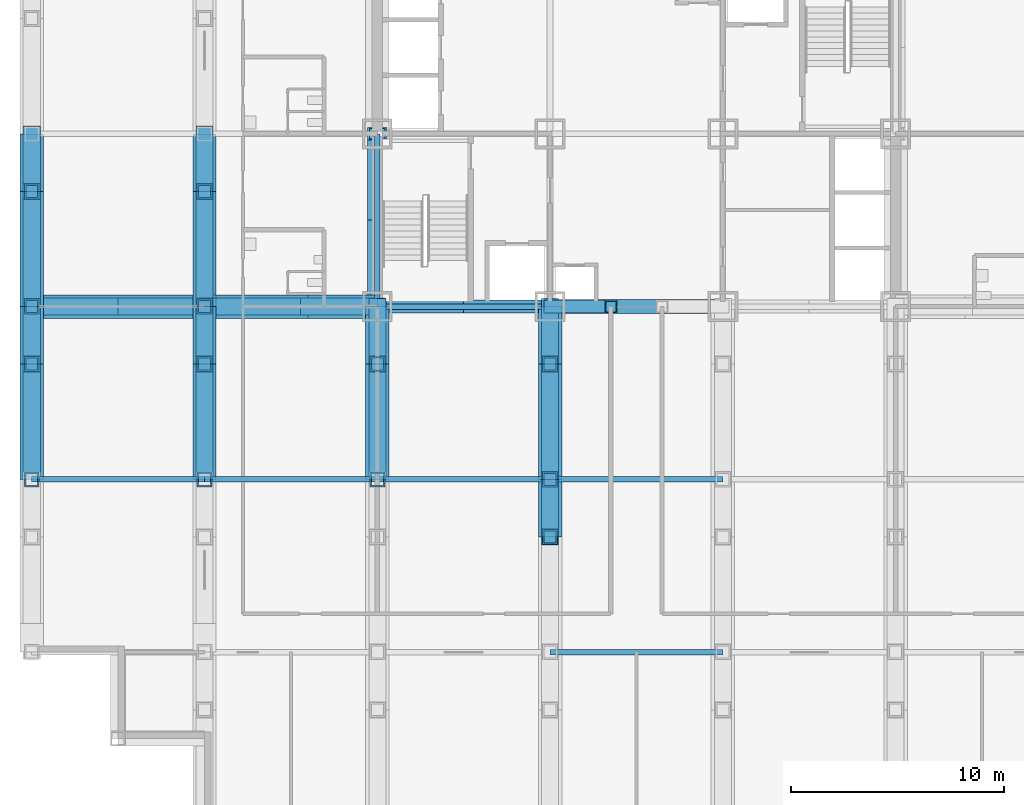
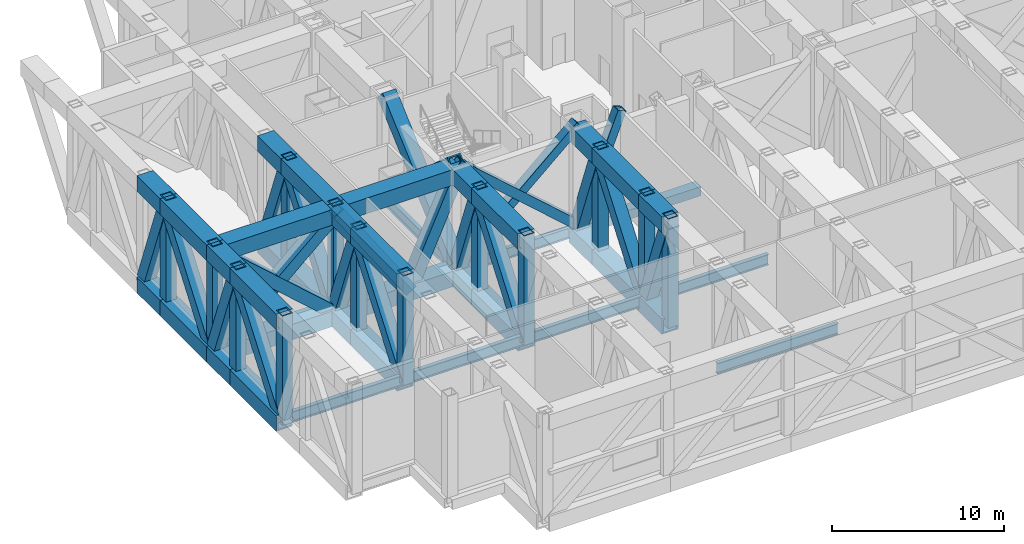
# One storey, part 2 of 13: 66 members, 8 beams.
"""IFC4 building model written with IfcOpenShell, lengths in metres."""

from ifc_helpers import new_model, si_unit, direction, frame, origin, origin_2d, place, context, subcontext, project, spatial, hollow_rectangle, i_section, extrude, material, material_profile, profile_set, type_object, element, save


model = new_model("IFC4")

# Units and contexts
model_context = context("Model", 3, precision=1e-05, world=origin(), true_north=direction((0.0, 1.0)))
body_context = subcontext(model_context, "Body", "Model", "MODEL_VIEW")
ifc_project = project(units=[si_unit("LENGTHUNIT", "METRE"), si_unit("AREAUNIT", "SQUARE_METRE"), si_unit("VOLUMEUNIT", "CUBIC_METRE"), si_unit("PLANEANGLEUNIT", "RADIAN"), si_unit("MASSUNIT", "GRAM", prefix="KILO")], contexts=[model_context])

# Site, building, storey
site_placement = place(None, origin())
site = spatial("IfcSite", under=ifc_project, at=site_placement, CompositionType="ELEMENT")
building_placement = place(site_placement, origin())
building = spatial("IfcBuilding", under=site, at=building_placement, Name="Kopane Lantern Tower", CompositionType="ELEMENT")
storey_placement = place(building_placement, frame((0.0, 0.0, 90.800048828125)))
storey = spatial("IfcBuildingStorey", under=building, at=storey_placement, Name="L23", CompositionType="ELEMENT", Elevation=90.800048828125)

# Members
ifc_material_1 = material(Name="Steel S355JR", Category="steel")
ifc_material_profile_1 = material_profile(ifc_material_1, hollow_rectangle(XDim=0.60009765625, YDim=0.60009765625, WallThickness=0.050048828125, at=origin_2d()), Name="BOX 600x600x50")
ifc_profile_set_1 = profile_set([ifc_material_profile_1], Name="Steel S355JR")
member_type_1 = type_object("IfcMemberType", Name="BRACE BOX 600x600x50", PredefinedType="BRACE", material=ifc_profile_set_1)
for number, where, z_axis, x_axis, name in (
    (1, (16.199951171875, 24.300048828125, -0.25), (0.747415533118, 0.0, 0.664356847525), (0.0, 1.0, 0.0), "Core brace L23"),
    (2, (24.300048828125, 24.300048828125, -0.25), (-0.747415533118, 0.0, 0.664356847525), (0.0, -1.0, 0.0), "Core brace L23"),
):
    element("IfcMember", number, at=place(storey_placement, frame(where, z_axis=z_axis, x_axis=x_axis)), inside=storey, type_object=member_type_1, Name=name, PredefinedType="BRACE", context=body_context, shape_type="SweptSolid", body=[
        extrude(hollow_rectangle(XDim=0.60009765625, YDim=0.60009765625, WallThickness=0.050048828125, at=origin_2d()), origin(), (0.0, 0.0, 1.0), 10.83740234375),
    ])
member_1_placement = place(storey_placement, frame((24.300048828125, 24.300048828125, -0.25), z_axis=(0.368034254187, 0.0, 0.929812232521), x_axis=(0.0, 1.0, 0.0)))
element("IfcMember", 3, at=member_1_placement, inside=storey, type_object=member_type_1, Name="Core brace L23", PredefinedType="BRACE", context=body_context, shape_type="SweptSolid", body=[
    extrude(hollow_rectangle(XDim=0.60009765625, YDim=0.60009765625, WallThickness=0.050048828125, at=origin_2d()), origin(), (0.0, 0.0, 1.0), 7.743408203125),
])
ifc_material_2 = material(Name="Steel S355JR", Category="steel")
ifc_material_profile_2 = material_profile(ifc_material_2, hollow_rectangle(XDim=0.89990234375, YDim=0.89990234375, WallThickness=0.090087890625, at=origin_2d()), Name="BOX 900x900x90")
ifc_profile_set_2 = profile_set([ifc_material_profile_2], Name="Steel S355JR")
member_type_2 = type_object("IfcMemberType", Name="BRACE BOX 900x900x90", PredefinedType="BRACE", material=ifc_profile_set_2)
for number, where, z_axis, x_axis, name in (
    (4, (16.199951171875, 24.300048828125, -0.25), (0.0, 0.747405589929, 0.664368033655), (-1.0, 0.0, 0.0), "Core brace L23"),
    (5, (16.199951171875, 32.39990234375, -0.25), (0.0, -0.747405589929, 0.664368033655), (1.0, 0.0, 0.0), "Core brace L23"),
):
    element("IfcMember", number, at=place(storey_placement, frame(where, z_axis=z_axis, x_axis=x_axis)), inside=storey, type_object=member_type_2, Name=name, PredefinedType="BRACE", context=body_context, shape_type="SweptSolid", body=[
        extrude(hollow_rectangle(XDim=0.89990234375, YDim=0.89990234375, WallThickness=0.090087890625, at=origin_2d()), origin(), (0.0, 0.0, 1.0), 10.83740234375),
    ])

# Beams
ifc_material_3 = material(Name="Steel S355JR", Category="steel")
ifc_material_profile_3 = material_profile(ifc_material_3, i_section(OverallWidth=0.2666015625, OverallDepth=0.76220703125, WebThickness=0.014404296875, FlangeThickness=0.021484375, FilletRadius=0.0166015625, at=origin_2d()), Name="UB 762x267x173")
ifc_profile_set_3 = profile_set([ifc_material_profile_3], Name="Steel S355JR")
beam_type_1 = type_object("IfcBeamType", Name="GIRDER UB 762x267x173", PredefinedType="BEAM", material=ifc_profile_set_3)
beam_1_placement = place(storey_placement, frame((0.0, 16.199951171875, -0.631103515625), z_axis=(1.0, 0.0, 0.0), x_axis=(0.0, 1.0, 0.0)))
element("IfcBeam", 6, at=beam_1_placement, inside=storey, type_object=beam_type_1, Name="Girder L23", PredefinedType="BEAM", context=body_context, shape_type="SweptSolid", body=[
    extrude(i_section(OverallWidth=0.2666015625, OverallDepth=0.76220703125, WebThickness=0.014404296875, FlangeThickness=0.021484375, FilletRadius=0.0166015625, at=origin_2d()), origin(), (0.0, 0.0, 1.0), 8.10009765625),
])
beam_2_placement = place(storey_placement, frame((8.10009765625, 16.199951171875, -0.631103515625), z_axis=(1.0, 0.0, 0.0), x_axis=(0.0, 1.0, 0.0)))
element("IfcBeam", 7, at=beam_2_placement, inside=storey, type_object=beam_type_1, Name="Girder L23", PredefinedType="BEAM", context=body_context, shape_type="SweptSolid", body=[
    extrude(i_section(OverallWidth=0.2666015625, OverallDepth=0.76220703125, WebThickness=0.014404296875, FlangeThickness=0.021484375, FilletRadius=0.0166015625, at=origin_2d()), origin(), (0.0, 0.0, 1.0), 8.099853515625),
])
beam_3_placement = place(storey_placement, frame((16.199951171875, 16.199951171875, -0.631103515625), z_axis=(1.0, 0.0, 0.0), x_axis=(0.0, 1.0, 0.0)))
element("IfcBeam", 8, at=beam_3_placement, inside=storey, type_object=beam_type_1, Name="Girder L23", PredefinedType="BEAM", context=body_context, shape_type="SweptSolid", body=[
    extrude(i_section(OverallWidth=0.2666015625, OverallDepth=0.76220703125, WebThickness=0.014404296875, FlangeThickness=0.021484375, FilletRadius=0.0166015625, at=origin_2d()), origin(), (0.0, 0.0, 1.0), 8.10009765625),
])
beam_4_placement = place(storey_placement, frame((16.199951171875, 24.300048828125, -0.631103515625), z_axis=(0.0, 1.0, 0.0), x_axis=(-1.0, 0.0, 0.0)))
element("IfcBeam", 9, at=beam_4_placement, inside=storey, type_object=beam_type_1, Name="Girder L23", PredefinedType="BEAM", context=body_context, shape_type="SweptSolid", body=[
    extrude(i_section(OverallWidth=0.2666015625, OverallDepth=0.76220703125, WebThickness=0.014404296875, FlangeThickness=0.021484375, FilletRadius=0.0166015625, at=origin_2d()), origin(), (0.0, 0.0, 1.0), 8.099853515625),
])
beam_5_placement = place(storey_placement, frame((16.199951171875, 24.300048828125, -0.631103515625), z_axis=(1.0, 0.0, 0.0), x_axis=(0.0, 1.0, 0.0)))
element("IfcBeam", 10, at=beam_5_placement, inside=storey, type_object=beam_type_1, Name="Girder L23", PredefinedType="BEAM", context=body_context, shape_type="SweptSolid", body=[
    extrude(i_section(OverallWidth=0.2666015625, OverallDepth=0.76220703125, WebThickness=0.014404296875, FlangeThickness=0.021484375, FilletRadius=0.0166015625, at=origin_2d()), origin(), (0.0, 0.0, 1.0), 8.10009765625),
])
for number, where, z_axis, x_axis, name in (
    (11, (24.300048828125, 8.10009765625, -0.631103515625), (1.0, 0.0, 0.0), (0.0, 1.0, 0.0), "Girder L23"),
    (12, (24.300048828125, 16.199951171875, -0.631103515625), (1.0, 0.0, 0.0), (0.0, 1.0, 0.0), "Girder L23"),
):
    element("IfcBeam", number, at=place(storey_placement, frame(where, z_axis=z_axis, x_axis=x_axis)), inside=storey, type_object=beam_type_1, Name=name, PredefinedType="BEAM", context=body_context, shape_type="SweptSolid", body=[
        extrude(i_section(OverallWidth=0.2666015625, OverallDepth=0.76220703125, WebThickness=0.014404296875, FlangeThickness=0.021484375, FilletRadius=0.0166015625, at=origin_2d()), origin(), (0.0, 0.0, 1.0), 8.099853515625),
    ])
ifc_material_4 = material(Name="Steel S355JR", Category="steel")
ifc_material_profile_4 = material_profile(ifc_material_4, hollow_rectangle(XDim=0.64990234375, YDim=0.64990234375, WallThickness=0.070068359375, at=origin_2d()), Name="BOX 650x650x70")
ifc_profile_set_4 = profile_set([ifc_material_profile_4], Name="Steel S355JR")
beam_type_2 = type_object("IfcBeamType", Name="LINK BEAM BOX 650x650x70", PredefinedType="BEAM", material=ifc_profile_set_4)
beam_6_placement = place(storey_placement, frame((24.300048828125, 24.300048828125, -0.574951171875), z_axis=(1.0, 0.0, 0.0), x_axis=(0.0, 1.0, 0.0)))
element("IfcBeam", 13, at=beam_6_placement, inside=storey, type_object=beam_type_2, Name="Link Beam L23", PredefinedType="BEAM", context=body_context, shape_type="SweptSolid", body=[
    extrude(hollow_rectangle(XDim=0.64990234375, YDim=0.64990234375, WallThickness=0.070068359375, at=origin_2d()), origin(), (0.0, 0.0, 1.0), 8.099853515625),
])

# Members
ifc_material_5 = material(Name="Steel S355JR", Category="steel")
ifc_material_profile_5 = material_profile(ifc_material_5, hollow_rectangle(XDim=1.10009765625, YDim=1.10009765625, WallThickness=0.10009765625, at=origin_2d()), Name="BOX 1100x1100x100")
ifc_profile_set_5 = profile_set([ifc_material_profile_5], Name="Steel S355JR")
member_type_3 = type_object("IfcMemberType", Name="TRUSS CHORD BOX 1100x1100x100", PredefinedType="CHORD", material=ifc_profile_set_5)
member_2_placement = place(storey_placement, frame((0.0, 16.199951171875, -0.800048828125), z_axis=(0.0, 1.0, 0.0), x_axis=(-1.0, 0.0, 0.0)))
element("IfcMember", 14, at=member_2_placement, inside=storey, type_object=member_type_3, Name="Transfer truss 2 L23 truss chord", PredefinedType="CHORD", context=body_context, shape_type="SweptSolid", body=[
    extrude(hollow_rectangle(XDim=1.10009765625, YDim=1.10009765625, WallThickness=0.10009765625, at=origin_2d()), origin(), (0.0, 0.0, 1.0), 5.400146484375),
])
member_3_placement = place(storey_placement, frame((0.0, 21.60009765625, -0.800048828125), z_axis=(0.0, 1.0, 0.0), x_axis=(-1.0, 0.0, 0.0)))
element("IfcMember", 15, at=member_3_placement, inside=storey, type_object=member_type_3, Name="Transfer truss 2 L23 truss chord", PredefinedType="CHORD", context=body_context, shape_type="SweptSolid", body=[
    extrude(hollow_rectangle(XDim=1.10009765625, YDim=1.10009765625, WallThickness=0.10009765625, at=origin_2d()), origin(), (0.0, 0.0, 1.0), 2.699951171875),
])
member_4_placement = place(storey_placement, frame((0.0, 24.300048828125, -0.800048828125), z_axis=(0.0, 1.0, 0.0), x_axis=(-1.0, 0.0, 0.0)))
element("IfcMember", 16, at=member_4_placement, inside=storey, type_object=member_type_3, Name="Transfer truss 2 L23 truss chord", PredefinedType="CHORD", context=body_context, shape_type="SweptSolid", body=[
    extrude(hollow_rectangle(XDim=1.10009765625, YDim=1.10009765625, WallThickness=0.10009765625, at=origin_2d()), origin(), (0.0, 0.0, 1.0), 5.39990234375),
])
member_5_placement = place(storey_placement, frame((0.0, 29.699951171875, -0.800048828125), z_axis=(0.0, 1.0, 0.0), x_axis=(-1.0, 0.0, 0.0)))
element("IfcMember", 17, at=member_5_placement, inside=storey, type_object=member_type_3, Name="Transfer truss 2 L23 truss chord", PredefinedType="CHORD", context=body_context, shape_type="SweptSolid", body=[
    extrude(hollow_rectangle(XDim=1.10009765625, YDim=1.10009765625, WallThickness=0.10009765625, at=origin_2d()), origin(), (0.0, 0.0, 1.0), 2.699951171875),
])
member_6_placement = place(storey_placement, frame((0.0, 16.199951171875, 6.39990234375), z_axis=(0.0, 1.0, 0.0), x_axis=(-1.0, 0.0, 0.0)))
element("IfcMember", 18, at=member_6_placement, inside=storey, type_object=member_type_3, Name="Transfer truss 2 L23 truss chord", PredefinedType="CHORD", context=body_context, shape_type="SweptSolid", body=[
    extrude(hollow_rectangle(XDim=1.10009765625, YDim=1.10009765625, WallThickness=0.10009765625, at=origin_2d()), origin(), (0.0, 0.0, 1.0), 5.400146484375),
])
member_7_placement = place(storey_placement, frame((0.0, 21.60009765625, 6.39990234375), z_axis=(0.0, 1.0, 0.0), x_axis=(-1.0, 0.0, 0.0)))
element("IfcMember", 19, at=member_7_placement, inside=storey, type_object=member_type_3, Name="Transfer truss 2 L23 truss chord", PredefinedType="CHORD", context=body_context, shape_type="SweptSolid", body=[
    extrude(hollow_rectangle(XDim=1.10009765625, YDim=1.10009765625, WallThickness=0.10009765625, at=origin_2d()), origin(), (0.0, 0.0, 1.0), 2.699951171875),
])
member_8_placement = place(storey_placement, frame((0.0, 24.300048828125, 6.39990234375), z_axis=(0.0, 1.0, 0.0), x_axis=(-1.0, 0.0, 0.0)))
element("IfcMember", 20, at=member_8_placement, inside=storey, type_object=member_type_3, Name="Transfer truss 2 L23 truss chord", PredefinedType="CHORD", context=body_context, shape_type="SweptSolid", body=[
    extrude(hollow_rectangle(XDim=1.10009765625, YDim=1.10009765625, WallThickness=0.10009765625, at=origin_2d()), origin(), (0.0, 0.0, 1.0), 5.39990234375),
])
member_9_placement = place(storey_placement, frame((0.0, 29.699951171875, 6.39990234375), z_axis=(0.0, 1.0, 0.0), x_axis=(-1.0, 0.0, 0.0)))
element("IfcMember", 21, at=member_9_placement, inside=storey, type_object=member_type_3, Name="Transfer truss 2 L23 truss chord", PredefinedType="CHORD", context=body_context, shape_type="SweptSolid", body=[
    extrude(hollow_rectangle(XDim=1.10009765625, YDim=1.10009765625, WallThickness=0.10009765625, at=origin_2d()), origin(), (0.0, 0.0, 1.0), 2.699951171875),
])
member_10_placement = place(storey_placement, frame((8.10009765625, 16.199951171875, -0.800048828125), z_axis=(0.0, 1.0, 0.0), x_axis=(-1.0, 0.0, 0.0)))
element("IfcMember", 22, at=member_10_placement, inside=storey, type_object=member_type_3, Name="Transfer truss 3 L23 truss chord", PredefinedType="CHORD", context=body_context, shape_type="SweptSolid", body=[
    extrude(hollow_rectangle(XDim=1.10009765625, YDim=1.10009765625, WallThickness=0.10009765625, at=origin_2d()), origin(), (0.0, 0.0, 1.0), 5.400146484375),
])
member_11_placement = place(storey_placement, frame((8.10009765625, 21.60009765625, -0.800048828125), z_axis=(0.0, 1.0, 0.0), x_axis=(-1.0, 0.0, 0.0)))
element("IfcMember", 23, at=member_11_placement, inside=storey, type_object=member_type_3, Name="Transfer truss 3 L23 truss chord", PredefinedType="CHORD", context=body_context, shape_type="SweptSolid", body=[
    extrude(hollow_rectangle(XDim=1.10009765625, YDim=1.10009765625, WallThickness=0.10009765625, at=origin_2d()), origin(), (0.0, 0.0, 1.0), 2.699951171875),
])
member_12_placement = place(storey_placement, frame((8.10009765625, 24.300048828125, -0.800048828125), z_axis=(0.0, 1.0, 0.0), x_axis=(-1.0, 0.0, 0.0)))
element("IfcMember", 24, at=member_12_placement, inside=storey, type_object=member_type_3, Name="Transfer truss 3 L23 truss chord", PredefinedType="CHORD", context=body_context, shape_type="SweptSolid", body=[
    extrude(hollow_rectangle(XDim=1.10009765625, YDim=1.10009765625, WallThickness=0.10009765625, at=origin_2d()), origin(), (0.0, 0.0, 1.0), 5.39990234375),
])
member_13_placement = place(storey_placement, frame((8.10009765625, 29.699951171875, -0.800048828125), z_axis=(0.0, 1.0, 0.0), x_axis=(-1.0, 0.0, 0.0)))
element("IfcMember", 25, at=member_13_placement, inside=storey, type_object=member_type_3, Name="Transfer truss 3 L23 truss chord", PredefinedType="CHORD", context=body_context, shape_type="SweptSolid", body=[
    extrude(hollow_rectangle(XDim=1.10009765625, YDim=1.10009765625, WallThickness=0.10009765625, at=origin_2d()), origin(), (0.0, 0.0, 1.0), 2.699951171875),
])
member_14_placement = place(storey_placement, frame((8.10009765625, 16.199951171875, 6.39990234375), z_axis=(0.0, 1.0, 0.0), x_axis=(-1.0, 0.0, 0.0)))
element("IfcMember", 26, at=member_14_placement, inside=storey, type_object=member_type_3, Name="Transfer truss 3 L23 truss chord", PredefinedType="CHORD", context=body_context, shape_type="SweptSolid", body=[
    extrude(hollow_rectangle(XDim=1.10009765625, YDim=1.10009765625, WallThickness=0.10009765625, at=origin_2d()), origin(), (0.0, 0.0, 1.0), 5.400146484375),
])
member_15_placement = place(storey_placement, frame((8.10009765625, 21.60009765625, 6.39990234375), z_axis=(0.0, 1.0, 0.0), x_axis=(-1.0, 0.0, 0.0)))
element("IfcMember", 27, at=member_15_placement, inside=storey, type_object=member_type_3, Name="Transfer truss 3 L23 truss chord", PredefinedType="CHORD", context=body_context, shape_type="SweptSolid", body=[
    extrude(hollow_rectangle(XDim=1.10009765625, YDim=1.10009765625, WallThickness=0.10009765625, at=origin_2d()), origin(), (0.0, 0.0, 1.0), 2.699951171875),
])
member_16_placement = place(storey_placement, frame((8.10009765625, 24.300048828125, 6.39990234375), z_axis=(0.0, 1.0, 0.0), x_axis=(-1.0, 0.0, 0.0)))
element("IfcMember", 28, at=member_16_placement, inside=storey, type_object=member_type_3, Name="Transfer truss 3 L23 truss chord", PredefinedType="CHORD", context=body_context, shape_type="SweptSolid", body=[
    extrude(hollow_rectangle(XDim=1.10009765625, YDim=1.10009765625, WallThickness=0.10009765625, at=origin_2d()), origin(), (0.0, 0.0, 1.0), 5.39990234375),
])
member_17_placement = place(storey_placement, frame((8.10009765625, 29.699951171875, 6.39990234375), z_axis=(0.0, 1.0, 0.0), x_axis=(-1.0, 0.0, 0.0)))
element("IfcMember", 29, at=member_17_placement, inside=storey, type_object=member_type_3, Name="Transfer truss 3 L23 truss chord", PredefinedType="CHORD", context=body_context, shape_type="SweptSolid", body=[
    extrude(hollow_rectangle(XDim=1.10009765625, YDim=1.10009765625, WallThickness=0.10009765625, at=origin_2d()), origin(), (0.0, 0.0, 1.0), 2.699951171875),
])
member_18_placement = place(storey_placement, frame((16.199951171875, 16.199951171875, -0.800048828125), z_axis=(0.0, 1.0, 0.0), x_axis=(-1.0, 0.0, 0.0)))
element("IfcMember", 30, at=member_18_placement, inside=storey, type_object=member_type_3, Name="Transfer truss 4 L23 truss chord", PredefinedType="CHORD", context=body_context, shape_type="SweptSolid", body=[
    extrude(hollow_rectangle(XDim=1.10009765625, YDim=1.10009765625, WallThickness=0.10009765625, at=origin_2d()), origin(), (0.0, 0.0, 1.0), 5.400146484375),
])
member_19_placement = place(storey_placement, frame((16.199951171875, 21.60009765625, -0.800048828125), z_axis=(0.0, 1.0, 0.0), x_axis=(-1.0, 0.0, 0.0)))
element("IfcMember", 31, at=member_19_placement, inside=storey, type_object=member_type_3, Name="Transfer truss 4 L23 truss chord", PredefinedType="CHORD", context=body_context, shape_type="SweptSolid", body=[
    extrude(hollow_rectangle(XDim=1.10009765625, YDim=1.10009765625, WallThickness=0.10009765625, at=origin_2d()), origin(), (0.0, 0.0, 1.0), 2.699951171875),
])
member_20_placement = place(storey_placement, frame((16.199951171875, 16.199951171875, 6.39990234375), z_axis=(0.0, 1.0, 0.0), x_axis=(-1.0, 0.0, 0.0)))
element("IfcMember", 32, at=member_20_placement, inside=storey, type_object=member_type_3, Name="Transfer truss 4 L23 truss chord", PredefinedType="CHORD", context=body_context, shape_type="SweptSolid", body=[
    extrude(hollow_rectangle(XDim=1.10009765625, YDim=1.10009765625, WallThickness=0.10009765625, at=origin_2d()), origin(), (0.0, 0.0, 1.0), 5.400146484375),
])
for number, where, z_axis, x_axis, name in (
    (33, (16.199951171875, 21.60009765625, 6.39990234375), (0.0, 1.0, 0.0), (-1.0, 0.0, 0.0), "Transfer truss 4 L23 truss chord"),
    (34, (24.300048828125, 13.5, -0.800048828125), (0.0, 1.0, 0.0), (-1.0, 0.0, 0.0), "Transfer truss 5 L23 truss chord"),
):
    element("IfcMember", number, at=place(storey_placement, frame(where, z_axis=z_axis, x_axis=x_axis)), inside=storey, type_object=member_type_3, Name=name, PredefinedType="CHORD", context=body_context, shape_type="SweptSolid", body=[
        extrude(hollow_rectangle(XDim=1.10009765625, YDim=1.10009765625, WallThickness=0.10009765625, at=origin_2d()), origin(), (0.0, 0.0, 1.0), 2.699951171875),
    ])
member_21_placement = place(storey_placement, frame((24.300048828125, 16.199951171875, -0.800048828125), z_axis=(0.0, 1.0, 0.0), x_axis=(-1.0, 0.0, 0.0)))
element("IfcMember", 35, at=member_21_placement, inside=storey, type_object=member_type_3, Name="Transfer truss 5 L23 truss chord", PredefinedType="CHORD", context=body_context, shape_type="SweptSolid", body=[
    extrude(hollow_rectangle(XDim=1.10009765625, YDim=1.10009765625, WallThickness=0.10009765625, at=origin_2d()), origin(), (0.0, 0.0, 1.0), 5.400146484375),
])
for number, where, z_axis, x_axis, name in (
    (36, (24.300048828125, 21.60009765625, -0.800048828125), (0.0, 1.0, 0.0), (-1.0, 0.0, 0.0), "Transfer truss 5 L23 truss chord"),
    (37, (24.300048828125, 13.5, 6.39990234375), (0.0, 1.0, 0.0), (-1.0, 0.0, 0.0), "Transfer truss 5 L23 truss chord"),
):
    element("IfcMember", number, at=place(storey_placement, frame(where, z_axis=z_axis, x_axis=x_axis)), inside=storey, type_object=member_type_3, Name=name, PredefinedType="CHORD", context=body_context, shape_type="SweptSolid", body=[
        extrude(hollow_rectangle(XDim=1.10009765625, YDim=1.10009765625, WallThickness=0.10009765625, at=origin_2d()), origin(), (0.0, 0.0, 1.0), 2.699951171875),
    ])
member_22_placement = place(storey_placement, frame((24.300048828125, 16.199951171875, 6.39990234375), z_axis=(0.0, 1.0, 0.0), x_axis=(-1.0, 0.0, 0.0)))
element("IfcMember", 38, at=member_22_placement, inside=storey, type_object=member_type_3, Name="Transfer truss 5 L23 truss chord", PredefinedType="CHORD", context=body_context, shape_type="SweptSolid", body=[
    extrude(hollow_rectangle(XDim=1.10009765625, YDim=1.10009765625, WallThickness=0.10009765625, at=origin_2d()), origin(), (0.0, 0.0, 1.0), 5.400146484375),
])
member_23_placement = place(storey_placement, frame((24.300048828125, 21.60009765625, 6.39990234375), z_axis=(0.0, 1.0, 0.0), x_axis=(-1.0, 0.0, 0.0)))
element("IfcMember", 39, at=member_23_placement, inside=storey, type_object=member_type_3, Name="Transfer truss 5 L23 truss chord", PredefinedType="CHORD", context=body_context, shape_type="SweptSolid", body=[
    extrude(hollow_rectangle(XDim=1.10009765625, YDim=1.10009765625, WallThickness=0.10009765625, at=origin_2d()), origin(), (0.0, 0.0, 1.0), 2.699951171875),
])
for number, where, z_axis, x_axis, name in (
    (40, (0.0, 24.300048828125, -0.800048828125), (1.0, 0.0, 0.0), (0.0, 1.0, 0.0), "Outrigger truss W24.3 L23 truss chord"),
    (41, (0.0, 24.300048828125, 6.39990234375), (1.0, 0.0, 0.0), (0.0, 1.0, 0.0), "Outrigger truss W24.3 L23 truss chord"),
):
    element("IfcMember", number, at=place(storey_placement, frame(where, z_axis=z_axis, x_axis=x_axis)), inside=storey, type_object=member_type_3, Name=name, PredefinedType="CHORD", context=body_context, shape_type="SweptSolid", body=[
        extrude(hollow_rectangle(XDim=1.10009765625, YDim=1.10009765625, WallThickness=0.10009765625, at=origin_2d()), origin(), (0.0, 0.0, 1.0), 8.10009765625),
    ])
member_24_placement = place(storey_placement, frame((8.10009765625, 24.300048828125, -0.800048828125), z_axis=(1.0, 0.0, 0.0), x_axis=(0.0, 1.0, 0.0)))
element("IfcMember", 42, at=member_24_placement, inside=storey, type_object=member_type_3, Name="Outrigger truss W24.3 L23 truss chord", PredefinedType="CHORD", context=body_context, shape_type="SweptSolid", body=[
    extrude(hollow_rectangle(XDim=1.10009765625, YDim=1.10009765625, WallThickness=0.10009765625, at=origin_2d()), origin(), (0.0, 0.0, 1.0), 4.85986328125),
])
member_25_placement = place(storey_placement, frame((12.9599609375, 24.300048828125, -0.800048828125), z_axis=(1.0, 0.0, 0.0), x_axis=(0.0, 1.0, 0.0)))
element("IfcMember", 43, at=member_25_placement, inside=storey, type_object=member_type_3, Name="Outrigger truss W24.3 L23 truss chord", PredefinedType="CHORD", context=body_context, shape_type="SweptSolid", body=[
    extrude(hollow_rectangle(XDim=1.10009765625, YDim=1.10009765625, WallThickness=0.10009765625, at=origin_2d()), origin(), (0.0, 0.0, 1.0), 3.239990234375),
])
member_26_placement = place(storey_placement, frame((8.10009765625, 24.300048828125, 6.39990234375), z_axis=(1.0, 0.0, 0.0), x_axis=(0.0, 1.0, 0.0)))
element("IfcMember", 44, at=member_26_placement, inside=storey, type_object=member_type_3, Name="Outrigger truss W24.3 L23 truss chord", PredefinedType="CHORD", context=body_context, shape_type="SweptSolid", body=[
    extrude(hollow_rectangle(XDim=1.10009765625, YDim=1.10009765625, WallThickness=0.10009765625, at=origin_2d()), origin(), (0.0, 0.0, 1.0), 8.099853515625),
])
ifc_material_6 = material(Name="Steel S355JR", Category="steel")
ifc_material_profile_6 = material_profile(ifc_material_6, hollow_rectangle(XDim=0.800048828125, YDim=0.800048828125, WallThickness=0.080078125, at=origin_2d()), Name="BOX 800x800x80")
ifc_profile_set_6 = profile_set([ifc_material_profile_6], Name="Steel S355JR")
member_type_4 = type_object("IfcMemberType", Name="TRUSS DIAGONAL BOX 800x800x80", PredefinedType="BRACE", material=ifc_profile_set_6)
member_27_placement = place(storey_placement, frame((0.0, 16.199951171875, -0.800048828125), z_axis=(0.0, 0.600013020683, 0.799990234322), x_axis=(-1.0, 0.0, 0.0)))
element("IfcMember", 45, at=member_27_placement, inside=storey, type_object=member_type_4, Name="Transfer truss 2 L23 truss diagonal", PredefinedType="BRACE", context=body_context, shape_type="SweptSolid", body=[
    extrude(hollow_rectangle(XDim=0.800048828125, YDim=0.800048828125, WallThickness=0.080078125, at=origin_2d()), origin(), (0.0, 0.0, 1.0), 9.0),
])
member_28_placement = place(storey_placement, frame((0.0, 24.300048828125, -0.800048828125), z_axis=(0.0, -0.351119962166, 0.936330482345), x_axis=(1.0, 0.0, 0.0)))
element("IfcMember", 46, at=member_28_placement, inside=storey, type_object=member_type_4, Name="Transfer truss 2 L23 truss diagonal", PredefinedType="BRACE", context=body_context, shape_type="SweptSolid", body=[
    extrude(hollow_rectangle(XDim=0.800048828125, YDim=0.800048828125, WallThickness=0.080078125, at=origin_2d()), origin(), (0.0, 0.0, 1.0), 7.689453125),
])
member_29_placement = place(storey_placement, frame((0.0, 24.300048828125, -0.800048828125), z_axis=(0.0, 0.599995659666, 0.800003255232), x_axis=(-1.0, 0.0, 0.0)))
element("IfcMember", 47, at=member_29_placement, inside=storey, type_object=member_type_4, Name="Transfer truss 2 L23 truss diagonal", PredefinedType="BRACE", context=body_context, shape_type="SweptSolid", body=[
    extrude(hollow_rectangle(XDim=0.800048828125, YDim=0.800048828125, WallThickness=0.080078125, at=origin_2d()), origin(), (0.0, 0.0, 1.0), 9.0),
])
member_30_placement = place(storey_placement, frame((0.0, 32.39990234375, -0.800048828125), z_axis=(0.0, -0.351119962166, 0.936330482345), x_axis=(1.0, 0.0, 0.0)))
element("IfcMember", 48, at=member_30_placement, inside=storey, type_object=member_type_4, Name="Transfer truss 2 L23 truss diagonal", PredefinedType="BRACE", context=body_context, shape_type="SweptSolid", body=[
    extrude(hollow_rectangle(XDim=0.800048828125, YDim=0.800048828125, WallThickness=0.080078125, at=origin_2d()), origin(), (0.0, 0.0, 1.0), 7.689453125),
])
member_31_placement = place(storey_placement, frame((8.10009765625, 16.199951171875, -0.800048828125), z_axis=(0.0, 0.600013020683, 0.799990234322), x_axis=(-1.0, 0.0, 0.0)))
element("IfcMember", 49, at=member_31_placement, inside=storey, type_object=member_type_4, Name="Transfer truss 3 L23 truss diagonal", PredefinedType="BRACE", context=body_context, shape_type="SweptSolid", body=[
    extrude(hollow_rectangle(XDim=0.800048828125, YDim=0.800048828125, WallThickness=0.080078125, at=origin_2d()), origin(), (0.0, 0.0, 1.0), 9.0),
])
member_32_placement = place(storey_placement, frame((8.10009765625, 24.300048828125, -0.800048828125), z_axis=(0.0, -0.351119962166, 0.936330482345), x_axis=(1.0, 0.0, 0.0)))
element("IfcMember", 50, at=member_32_placement, inside=storey, type_object=member_type_4, Name="Transfer truss 3 L23 truss diagonal", PredefinedType="BRACE", context=body_context, shape_type="SweptSolid", body=[
    extrude(hollow_rectangle(XDim=0.800048828125, YDim=0.800048828125, WallThickness=0.080078125, at=origin_2d()), origin(), (0.0, 0.0, 1.0), 7.689453125),
])
member_33_placement = place(storey_placement, frame((8.10009765625, 24.300048828125, -0.800048828125), z_axis=(0.0, 0.599995659666, 0.800003255232), x_axis=(-1.0, 0.0, 0.0)))
element("IfcMember", 51, at=member_33_placement, inside=storey, type_object=member_type_4, Name="Transfer truss 3 L23 truss diagonal", PredefinedType="BRACE", context=body_context, shape_type="SweptSolid", body=[
    extrude(hollow_rectangle(XDim=0.800048828125, YDim=0.800048828125, WallThickness=0.080078125, at=origin_2d()), origin(), (0.0, 0.0, 1.0), 9.0),
])
member_34_placement = place(storey_placement, frame((8.10009765625, 32.39990234375, -0.800048828125), z_axis=(0.0, -0.351119962166, 0.936330482345), x_axis=(1.0, 0.0, 0.0)))
element("IfcMember", 52, at=member_34_placement, inside=storey, type_object=member_type_4, Name="Transfer truss 3 L23 truss diagonal", PredefinedType="BRACE", context=body_context, shape_type="SweptSolid", body=[
    extrude(hollow_rectangle(XDim=0.800048828125, YDim=0.800048828125, WallThickness=0.080078125, at=origin_2d()), origin(), (0.0, 0.0, 1.0), 7.689453125),
])
member_35_placement = place(storey_placement, frame((16.199951171875, 16.199951171875, -0.800048828125), z_axis=(0.0, 0.600013020683, 0.799990234322), x_axis=(-1.0, 0.0, 0.0)))
element("IfcMember", 53, at=member_35_placement, inside=storey, type_object=member_type_4, Name="Transfer truss 4 L23 truss diagonal", PredefinedType="BRACE", context=body_context, shape_type="SweptSolid", body=[
    extrude(hollow_rectangle(XDim=0.800048828125, YDim=0.800048828125, WallThickness=0.080078125, at=origin_2d()), origin(), (0.0, 0.0, 1.0), 9.0),
])
for number, where, z_axis, x_axis, name in (
    (54, (16.199951171875, 24.300048828125, -0.800048828125), (0.0, -0.351119962166, 0.936330482345), (1.0, 0.0, 0.0), "Transfer truss 4 L23 truss diagonal"),
    (55, (24.300048828125, 16.199951171875, -0.800048828125), (0.0, -0.351119962166, 0.936330482345), (1.0, 0.0, 0.0), "Transfer truss 5 L23 truss diagonal"),
):
    element("IfcMember", number, at=place(storey_placement, frame(where, z_axis=z_axis, x_axis=x_axis)), inside=storey, type_object=member_type_4, Name=name, PredefinedType="BRACE", context=body_context, shape_type="SweptSolid", body=[
        extrude(hollow_rectangle(XDim=0.800048828125, YDim=0.800048828125, WallThickness=0.080078125, at=origin_2d()), origin(), (0.0, 0.0, 1.0), 7.689453125),
    ])
member_36_placement = place(storey_placement, frame((24.300048828125, 16.199951171875, -0.800048828125), z_axis=(0.0, 0.600013020683, 0.799990234322), x_axis=(-1.0, 0.0, 0.0)))
element("IfcMember", 56, at=member_36_placement, inside=storey, type_object=member_type_4, Name="Transfer truss 5 L23 truss diagonal", PredefinedType="BRACE", context=body_context, shape_type="SweptSolid", body=[
    extrude(hollow_rectangle(XDim=0.800048828125, YDim=0.800048828125, WallThickness=0.080078125, at=origin_2d()), origin(), (0.0, 0.0, 1.0), 9.0),
])
member_37_placement = place(storey_placement, frame((24.300048828125, 24.300048828125, -0.800048828125), z_axis=(0.0, -0.351119962166, 0.936330482345), x_axis=(1.0, 0.0, 0.0)))
element("IfcMember", 57, at=member_37_placement, inside=storey, type_object=member_type_4, Name="Transfer truss 5 L23 truss diagonal", PredefinedType="BRACE", context=body_context, shape_type="SweptSolid", body=[
    extrude(hollow_rectangle(XDim=0.800048828125, YDim=0.800048828125, WallThickness=0.080078125, at=origin_2d()), origin(), (0.0, 0.0, 1.0), 7.689453125),
])
for number, where, z_axis, x_axis, name in (
    (58, (0.0, 24.300048828125, -0.800048828125), (0.747415533118, 0.0, 0.664356847525), (0.0, 1.0, 0.0), "Outrigger truss W24.3 L23 truss diagonal"),
    (59, (8.10009765625, 24.300048828125, -0.800048828125), (-0.747415533118, 0.0, 0.664356847525), (0.0, -1.0, 0.0), "Outrigger truss W24.3 L23 truss diagonal"),
):
    element("IfcMember", number, at=place(storey_placement, frame(where, z_axis=z_axis, x_axis=x_axis)), inside=storey, type_object=member_type_4, Name=name, PredefinedType="BRACE", context=body_context, shape_type="SweptSolid", body=[
        extrude(hollow_rectangle(XDim=0.800048828125, YDim=0.800048828125, WallThickness=0.080078125, at=origin_2d()), origin(), (0.0, 0.0, 1.0), 10.83740234375),
    ])
member_38_placement = place(storey_placement, frame((8.10009765625, 24.300048828125, 6.39990234375), z_axis=(0.559464649039, 0.0, -0.828854213041), x_axis=(0.0, 1.0, 0.0)))
element("IfcMember", 60, at=member_38_placement, inside=storey, type_object=member_type_4, Name="Outrigger truss W24.3 L23 truss diagonal", PredefinedType="BRACE", context=body_context, shape_type="SweptSolid", body=[
    extrude(hollow_rectangle(XDim=0.800048828125, YDim=0.800048828125, WallThickness=0.080078125, at=origin_2d()), origin(), (0.0, 0.0, 1.0), 8.6865234375),
])
member_39_placement = place(storey_placement, frame((16.199951171875, 24.300048828125, 6.39990234375), z_axis=(-0.410365963067, 0.0, -0.911920926592), x_axis=(0.0, -1.0, 0.0)))
element("IfcMember", 61, at=member_39_placement, inside=storey, type_object=member_type_4, Name="Outrigger truss W24.3 L23 truss diagonal", PredefinedType="BRACE", context=body_context, shape_type="SweptSolid", body=[
    extrude(hollow_rectangle(XDim=0.800048828125, YDim=0.800048828125, WallThickness=0.080078125, at=origin_2d()), origin(), (0.0, 0.0, 1.0), 7.895263671875),
])
ifc_material_7 = material(Name="Steel S355JR", Category="steel")
ifc_material_profile_7 = material_profile(ifc_material_7, hollow_rectangle(XDim=0.699951171875, YDim=0.699951171875, WallThickness=0.070068359375, at=origin_2d()), Name="BOX 700x700x70")
ifc_profile_set_7 = profile_set([ifc_material_profile_7], Name="Steel S355JR")
member_type_5 = type_object("IfcMemberType", Name="TRUSS POST BOX 700x700x70", PredefinedType="POST", material=ifc_profile_set_7)
for number, where, z_axis, x_axis, name in (
    (62, (0.0, 16.199951171875, -0.800048828125), (0.0, 0.0, 1.0), (1.0, 0.0, 0.0), "Transfer truss 2 L23 truss post"),
    (63, (0.0, 21.60009765625, -0.800048828125), (0.0, 0.0, 1.0), (1.0, 0.0, 0.0), "Transfer truss 2 L23 truss post"),
    (64, (0.0, 24.300048828125, -0.800048828125), (0.0, 0.0, 1.0), (1.0, 0.0, 0.0), "Transfer truss 2 L23 truss post"),
    (65, (0.0, 29.699951171875, -0.800048828125), (0.0, 0.0, 1.0), (1.0, 0.0, 0.0), "Transfer truss 2 L23 truss post"),
    (66, (8.10009765625, 16.199951171875, -0.800048828125), (0.0, 0.0, 1.0), (1.0, 0.0, 0.0), "Transfer truss 3 L23 truss post"),
    (67, (8.10009765625, 21.60009765625, -0.800048828125), (0.0, 0.0, 1.0), (1.0, 0.0, 0.0), "Transfer truss 3 L23 truss post"),
    (68, (8.10009765625, 24.300048828125, -0.800048828125), (0.0, 0.0, 1.0), (1.0, 0.0, 0.0), "Transfer truss 3 L23 truss post"),
    (69, (8.10009765625, 29.699951171875, -0.800048828125), (0.0, 0.0, 1.0), (1.0, 0.0, 0.0), "Transfer truss 3 L23 truss post"),
    (70, (16.199951171875, 16.199951171875, -0.800048828125), (0.0, 0.0, 1.0), (1.0, 0.0, 0.0), "Transfer truss 4 L23 truss post"),
    (71, (16.199951171875, 21.60009765625, -0.800048828125), (0.0, 0.0, 1.0), (1.0, 0.0, 0.0), "Transfer truss 4 L23 truss post"),
    (72, (24.300048828125, 13.5, -0.800048828125), (0.0, 0.0, 1.0), (1.0, 0.0, 0.0), "Transfer truss 5 L23 truss post"),
    (73, (24.300048828125, 16.199951171875, -0.800048828125), (0.0, 0.0, 1.0), (1.0, 0.0, 0.0), "Transfer truss 5 L23 truss post"),
    (74, (24.300048828125, 21.60009765625, -0.800048828125), (0.0, 0.0, 1.0), (1.0, 0.0, 0.0), "Transfer truss 5 L23 truss post"),
):
    element("IfcMember", number, at=place(storey_placement, frame(where, z_axis=z_axis, x_axis=x_axis)), inside=storey, type_object=member_type_5, Name=name, PredefinedType="POST", context=body_context, shape_type="SweptSolid", body=[
        extrude(hollow_rectangle(XDim=0.699951171875, YDim=0.699951171875, WallThickness=0.070068359375, at=origin_2d()), origin(), (0.0, 0.0, 1.0), 7.75),
    ])

save(model, "model.ifc")
